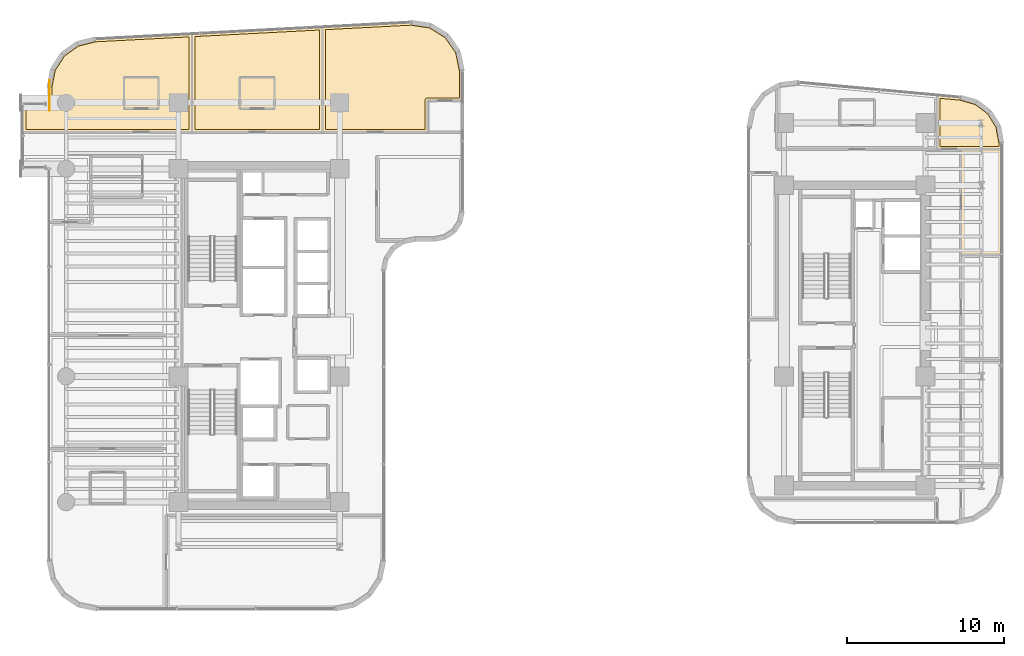
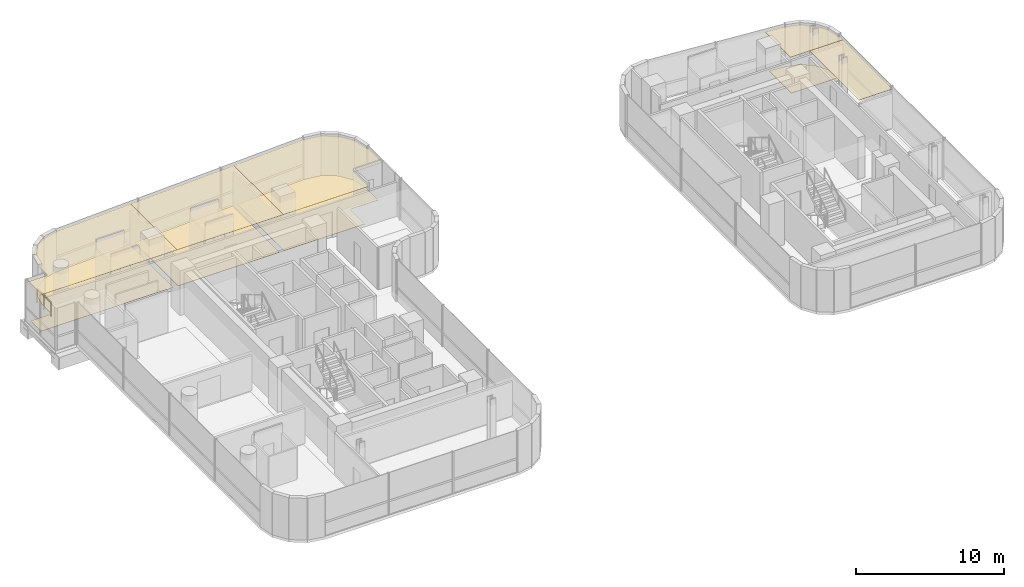
# One storey, part 33 of 33: 9 coverings, 1 railing.
"""IFC4 building model written with IfcOpenShell, lengths in metres."""

from ifc_helpers import new_model, si_unit, direction, frame, origin, origin_2d, place, context, subcontext, project, spatial, polyline, circle, outline, extrude, material, layer, layer_set, type_object, element, save


model = new_model("IFC4")

# Units and contexts
model_context = context("Model", 3, precision=1e-05, world=origin(), true_north=direction((0.0, 1.0)))
body_context = subcontext(model_context, "Body", "Model", "MODEL_VIEW")
ifc_project = project(units=[si_unit("LENGTHUNIT", "METRE"), si_unit("AREAUNIT", "SQUARE_METRE"), si_unit("VOLUMEUNIT", "CUBIC_METRE"), si_unit("PLANEANGLEUNIT", "RADIAN"), si_unit("MASSUNIT", "GRAM", prefix="KILO")], contexts=[model_context])

# Site, building, storey
site_placement = place(None, origin())
site = spatial("IfcSite", under=ifc_project, at=site_placement, CompositionType="ELEMENT")
building_placement = place(site_placement, origin())
building = spatial("IfcBuilding", under=site, at=building_placement, Name="Valdorenza Pilgrim Sanctuary Tower", CompositionType="ELEMENT")
storey_placement = place(building_placement, frame((0.0, 0.0, 157.5)))
storey = spatial("IfcBuildingStorey", under=building, at=storey_placement, Name="L40", CompositionType="ELEMENT", Elevation=157.5)

# Coverings
ifc_material_1 = material(Name="Micro-perforated acoustic mineral ceiling tile", Category="gypsum")
ifc_layer_1 = layer(ifc_material_1, 0.02490234375, Name="Micro-perforated acoustic mineral ceiling tile")
ifc_layer_set_1 = layer_set([ifc_layer_1], Name="Micro-perforated acoustic mineral ceiling tile")
covering_type_1 = type_object("IfcCoveringType", Name="COV-CLG-ACU", PredefinedType="CEILING", material=ifc_layer_set_1)
covering_1_placement = place(storey_placement, frame((0.0, 0.0, 3.159912109375)))
element("IfcCovering", 1, at=covering_1_placement, inside=storey, type_object=covering_type_1, Name="L40 North Guest Room L40-N1 Acoustic Ceiling", PredefinedType="CEILING", context=body_context, shape_type="SweptSolid", body=[
    extrude(outline(polyline([(-31.00048828125, 14.705078125), (-30.99072265625, 14.70556640625), (-30.9814453125, 14.706787109375), (-30.972412109375, 14.708984375), (-30.963623046875, 14.712158203125), (-30.955078125, 14.71630859375), (-30.947265625, 14.720947265625), (-30.939697265625, 14.7265625), (-30.932861328125, 14.73291015625), (-30.926513671875, 14.73974609375), (-30.9208984375, 14.747314453125), (-30.916259765625, 14.755126953125), (-30.912109375, 14.763671875), (-30.9091796875, 14.7724609375), (-30.90673828125, 14.781494140625), (-30.905517578125, 14.790771484375), (-30.905029296875, 14.80029296875), (-30.905029296875, 15.754150390625), (-30.90478515625, 15.755615234375), (-30.90478515625, 15.757080078125), (-30.68310546875, 16.911376953125), (-30.6826171875, 16.912841796875), (-30.68212890625, 16.914306640625), (-30.681640625, 16.91552734375), (-30.680908203125, 16.916748046875), (-30.052978515625, 17.897705078125), (-30.05224609375, 17.89892578125), (-30.05126953125, 17.89990234375), (-30.05029296875, 17.90087890625), (-30.04931640625, 17.90185546875), (-29.102294921875, 18.580810546875), (-29.101318359375, 18.58154296875), (-29.10009765625, 18.58203125), (-29.0986328125, 18.58251953125), (-29.097412109375, 18.5830078125), (-27.9560546875, 18.865478515625), (-27.954833984375, 18.865478515625), (-27.953369140625, 18.86572265625), (-21.8017578125, 19.19091796875), (-21.80078125, 19.19091796875), (-21.800048828125, 19.19091796875), (-21.798583984375, 19.190673828125), (-21.797119140625, 19.1904296875), (-21.795654296875, 19.190185546875), (-21.794189453125, 19.189697265625), (-21.79296875, 19.18896484375), (-21.791748046875, 19.188232421875), (-21.79052734375, 19.1875), (-21.789306640625, 19.186279296875), (-21.788330078125, 19.185302734375), (-21.78759765625, 19.18408203125), (-21.786865234375, 19.182861328125), (-21.7861328125, 19.181396484375), (-21.78564453125, 19.18017578125), (-21.785400390625, 19.1787109375), (-21.78515625, 19.17724609375), (-21.784912109375, 19.17578125), (-21.784912109375, 12.919921875), (-21.78515625, 12.91845703125), (-21.785400390625, 12.9169921875), (-21.78564453125, 12.91552734375), (-21.7861328125, 12.914306640625), (-21.786865234375, 12.912841796875), (-21.78759765625, 12.91162109375), (-21.788330078125, 12.910400390625), (-21.789306640625, 12.909423828125), (-21.79052734375, 12.908447265625), (-21.791748046875, 12.907470703125), (-21.79296875, 12.90673828125), (-21.794189453125, 12.906005859375), (-21.795654296875, 12.905517578125), (-21.797119140625, 12.9052734375), (-21.798583984375, 12.905029296875), (-21.800048828125, 12.905029296875), (-32.5400390625, 12.905029296875), (-32.54150390625, 12.905029296875), (-32.54296875, 12.9052734375), (-32.54443359375, 12.905517578125), (-32.545654296875, 12.906005859375), (-32.547119140625, 12.90673828125), (-32.54833984375, 12.907470703125), (-32.549560546875, 12.908447265625), (-32.550537109375, 12.909423828125), (-32.551513671875, 12.910400390625), (-32.552490234375, 12.91162109375), (-32.55322265625, 12.912841796875), (-32.553955078125, 12.914306640625), (-32.554443359375, 12.91552734375), (-32.5546875, 12.9169921875), (-32.554931640625, 12.91845703125), (-32.554931640625, 12.919921875), (-32.554931640625, 14.68994140625), (-32.554931640625, 14.69140625), (-32.5546875, 14.69287109375), (-32.554443359375, 14.6943359375), (-32.553955078125, 14.69580078125), (-32.55322265625, 14.697021484375), (-32.552490234375, 14.6982421875), (-32.551513671875, 14.699462890625), (-32.550537109375, 14.70068359375), (-32.549560546875, 14.70166015625), (-32.54833984375, 14.702392578125), (-32.547119140625, 14.703125), (-32.545654296875, 14.703857421875), (-32.54443359375, 14.704345703125), (-32.54296875, 14.70458984375), (-32.54150390625, 14.704833984375), (-32.5400390625, 14.705078125), (-31.00048828125, 14.705078125)])), origin(), (0.0, 0.0, 1.0), 0.025146484375),
])
covering_2_placement = place(storey_placement, frame((0.0, 0.0, 3.159912109375)))
element("IfcCovering", 2, at=covering_2_placement, inside=storey, type_object=covering_type_1, Name="L40 North Guest Room L40-N2 Acoustic Ceiling", PredefinedType="CEILING", context=body_context, shape_type="SweptSolid", body=[
    extrude(outline(polyline([(-21.81298828125, 19.17578125), (-21.81298828125, 19.1767578125), (-21.812744140625, 19.177978515625), (-21.8125, 19.1796875), (-21.81201171875, 19.180908203125), (-21.8115234375, 19.182373046875), (-21.810791015625, 19.18359375), (-21.81005859375, 19.184814453125), (-21.80908203125, 19.18603515625), (-21.80810546875, 19.18701171875), (-21.806884765625, 19.18798828125), (-21.805908203125, 19.188720703125), (-21.804443359375, 19.189453125), (-21.802978515625, 19.190185546875), (-21.8017578125, 19.1904296875), (-21.80029296875, 19.19091796875), (-21.798828125, 19.19091796875), (-13.501708984375, 19.62939453125), (-13.5009765625, 19.62939453125), (-13.5, 19.62939453125), (-13.49853515625, 19.629150390625), (-13.4970703125, 19.62890625), (-13.49560546875, 19.628662109375), (-13.494384765625, 19.628173828125), (-13.492919921875, 19.62744140625), (-13.49169921875, 19.626708984375), (-13.490478515625, 19.6259765625), (-13.489501953125, 19.625), (-13.48828125, 19.623779296875), (-13.487548828125, 19.62255859375), (-13.48681640625, 19.621337890625), (-13.486083984375, 19.6201171875), (-13.485595703125, 19.61865234375), (-13.4853515625, 19.6171875), (-13.485107421875, 19.61572265625), (-13.485107421875, 19.6142578125), (-13.485107421875, 12.919921875), (-13.485107421875, 12.91845703125), (-13.4853515625, 12.9169921875), (-13.485595703125, 12.91552734375), (-13.486083984375, 12.914306640625), (-13.48681640625, 12.912841796875), (-13.487548828125, 12.91162109375), (-13.48828125, 12.910400390625), (-13.489501953125, 12.909423828125), (-13.490478515625, 12.908447265625), (-13.49169921875, 12.907470703125), (-13.492919921875, 12.90673828125), (-13.494384765625, 12.906005859375), (-13.49560546875, 12.905517578125), (-13.4970703125, 12.9052734375), (-13.49853515625, 12.905029296875), (-13.5, 12.905029296875), (-21.798095703125, 12.905029296875), (-21.799560546875, 12.905029296875), (-21.80078125, 12.9052734375), (-21.802490234375, 12.905517578125), (-21.8037109375, 12.906005859375), (-21.80517578125, 12.90673828125), (-21.806396484375, 12.907470703125), (-21.8076171875, 12.908447265625), (-21.80859375, 12.909423828125), (-21.8095703125, 12.910400390625), (-21.810546875, 12.91162109375), (-21.811279296875, 12.912841796875), (-21.81201171875, 12.914306640625), (-21.8125, 12.91552734375), (-21.812744140625, 12.9169921875), (-21.81298828125, 12.91845703125), (-21.81298828125, 12.919921875), (-21.81298828125, 19.17578125), (-21.81298828125, 19.17578125)])), origin(), (0.0, 0.0, 1.0), 0.025146484375),
])
covering_3_placement = place(storey_placement, frame((0.0, 0.0, 3.159912109375)))
element("IfcCovering", 3, at=covering_3_placement, inside=storey, type_object=covering_type_1, Name="L40 North Guest Room L40-N3 Acoustic Ceiling", PredefinedType="CEILING", context=body_context, shape_type="SweptSolid", body=[
    extrude(outline(polyline([(-13.512939453125, 19.6142578125), (-13.512939453125, 19.615234375), (-13.5126953125, 19.61669921875), (-13.5126953125, 19.6181640625), (-13.51220703125, 19.619384765625), (-13.51171875, 19.620849609375), (-13.510986328125, 19.6220703125), (-13.510009765625, 19.623291015625), (-13.509033203125, 19.62451171875), (-13.508056640625, 19.62548828125), (-13.507080078125, 19.62646484375), (-13.505859375, 19.627197265625), (-13.50439453125, 19.6279296875), (-13.503173828125, 19.628662109375), (-13.501708984375, 19.62890625), (-13.500244140625, 19.62939453125), (-13.498779296875, 19.62939453125), (-7.875, 19.926513671875), (-7.87353515625, 19.926513671875), (-7.871826171875, 19.926513671875), (-6.6298828125, 19.738525390625), (-6.62841796875, 19.73828125), (-6.627197265625, 19.73779296875), (-6.625732421875, 19.737060546875), (-6.624267578125, 19.736328125), (-5.567138671875, 19.079345703125), (-5.56591796875, 19.07861328125), (-5.564697265625, 19.077392578125), (-5.563720703125, 19.076416015625), (-5.562744140625, 19.0751953125), (-4.850830078125, 18.05419921875), (-4.85009765625, 18.052978515625), (-4.849365234375, 18.051513671875), (-4.848876953125, 18.05029296875), (-4.848388671875, 18.048583984375), (-4.59521484375, 16.818359375), (-4.59521484375, 16.81689453125), (-4.594970703125, 16.815185546875), (-4.594970703125, 14.922119140625), (-4.59521484375, 14.92041015625), (-4.59521484375, 14.919189453125), (-4.595703125, 14.91748046875), (-4.59619140625, 14.916259765625), (-4.5966796875, 14.914794921875), (-4.597412109375, 14.913818359375), (-4.598388671875, 14.91259765625), (-4.599365234375, 14.911376953125), (-4.6005859375, 14.910400390625), (-4.601806640625, 14.909423828125), (-4.602783203125, 14.90869140625), (-4.604248046875, 14.908203125), (-4.605712890625, 14.90771484375), (-4.607177734375, 14.9072265625), (-4.6083984375, 14.906982421875), (-4.610107421875, 14.906982421875), (-6.797119140625, 14.906982421875), (-6.797119140625, 12.919921875), (-6.797119140625, 12.91845703125), (-6.79736328125, 12.9169921875), (-6.797607421875, 12.91552734375), (-6.798095703125, 12.914306640625), (-6.798828125, 12.912841796875), (-6.799560546875, 12.91162109375), (-6.80029296875, 12.910400390625), (-6.801513671875, 12.909423828125), (-6.802490234375, 12.908447265625), (-6.8037109375, 12.907470703125), (-6.804931640625, 12.90673828125), (-6.806396484375, 12.906005859375), (-6.8076171875, 12.905517578125), (-6.80908203125, 12.9052734375), (-6.810546875, 12.905029296875), (-6.81201171875, 12.905029296875), (-13.498046875, 12.905029296875), (-13.49951171875, 12.905029296875), (-13.5009765625, 12.9052734375), (-13.50244140625, 12.905517578125), (-13.503662109375, 12.906005859375), (-13.505126953125, 12.90673828125), (-13.50634765625, 12.907470703125), (-13.507568359375, 12.908447265625), (-13.508544921875, 12.909423828125), (-13.509521484375, 12.910400390625), (-13.510498046875, 12.91162109375), (-13.51123046875, 12.912841796875), (-13.511962890625, 12.914306640625), (-13.512451171875, 12.91552734375), (-13.5126953125, 12.9169921875), (-13.512939453125, 12.91845703125), (-13.512939453125, 12.919921875), (-13.512939453125, 19.6142578125), (-13.512939453125, 19.6142578125)])), origin(), (0.0, 0.0, 1.0), 0.025146484375),
])
covering_4_placement = place(storey_placement, frame((0.0, 0.0, 3.159912109375)))
element("IfcCovering", 4, at=covering_4_placement, inside=storey, type_object=covering_type_1, Name="L40 East Wing Reference Library L40-BNE Acoustic Ceiling", PredefinedType="CEILING", context=body_context, shape_type="SweptSolid", body=[
    extrude(outline(polyline([(27.055908203125, 15.156982421875), (27.057373046875, 15.156982421875), (27.058837890625, 15.156494140625), (28.090087890625, 14.86376953125), (28.091552734375, 14.86328125), (28.0927734375, 14.86279296875), (28.093994140625, 14.862060546875), (28.09521484375, 14.861328125), (28.94287109375, 14.2216796875), (28.94384765625, 14.220947265625), (28.94482421875, 14.219970703125), (28.94580078125, 14.21875), (28.946533203125, 14.2177734375), (29.505615234375, 13.315185546875), (29.50634765625, 13.313720703125), (29.5068359375, 13.3125), (29.50732421875, 13.311279296875), (29.507568359375, 13.309814453125), (29.70458984375, 12.256103515625), (29.704833984375, 12.254638671875), (29.705078125, 12.253173828125), (29.705078125, 11.85009765625), (29.704833984375, 11.848388671875), (29.70458984375, 11.84716796875), (29.704345703125, 11.845703125), (29.703857421875, 11.84423828125), (29.703125, 11.843017578125), (29.702392578125, 11.841796875), (29.70166015625, 11.840576171875), (29.70068359375, 11.83935546875), (29.699462890625, 11.83837890625), (29.6982421875, 11.83740234375), (29.697021484375, 11.8369140625), (29.69580078125, 11.836181640625), (29.6943359375, 11.835693359375), (29.69287109375, 11.835205078125), (29.69140625, 11.835205078125), (29.68994140625, 11.8349609375), (25.60205078125, 11.8349609375), (25.6005859375, 11.835205078125), (25.59912109375, 11.835205078125), (25.59765625, 11.835693359375), (25.59619140625, 11.836181640625), (25.594970703125, 11.8369140625), (25.59375, 11.83740234375), (25.592529296875, 11.83837890625), (25.59130859375, 11.83935546875), (25.59033203125, 11.840576171875), (25.589599609375, 11.841796875), (25.5888671875, 11.843017578125), (25.588134765625, 11.84423828125), (25.587646484375, 11.845703125), (25.58740234375, 11.84716796875), (25.587158203125, 11.848388671875), (25.5869140625, 11.85009765625), (25.5869140625, 15.27587890625), (25.587158203125, 15.27734375), (25.58740234375, 15.27880859375), (25.587646484375, 15.2802734375), (25.588134765625, 15.281494140625), (25.5888671875, 15.282958984375), (25.589599609375, 15.2841796875), (25.59033203125, 15.285400390625), (25.59130859375, 15.286376953125), (25.59228515625, 15.287353515625), (25.593505859375, 15.288330078125), (25.594970703125, 15.2890625), (25.59619140625, 15.289794921875), (25.59765625, 15.290283203125), (25.59912109375, 15.29052734375), (25.600341796875, 15.290771484375), (25.601806640625, 15.291015625), (25.603515625, 15.290771484375), (27.055908203125, 15.156982421875)])), origin(), (0.0, 0.0, 1.0), 0.025146484375),
])
covering_5_placement = place(storey_placement, frame((0.0, 0.0, 3.159912109375)))
element("IfcCovering", 5, at=covering_5_placement, inside=storey, type_object=covering_type_1, Name="L40 East Sanctuary Scholar Office L40-EG4 Acoustic Ceiling", PredefinedType="CEILING", context=body_context, shape_type="SweptSolid", body=[
    extrude(outline(polyline([(27.0849609375, 11.847900390625), (27.085205078125, 11.849609375), (27.085205078125, 11.850830078125), (27.085693359375, 11.852294921875), (27.086181640625, 11.853759765625), (27.0869140625, 11.85498046875), (27.08740234375, 11.856201171875), (27.08837890625, 11.857421875), (27.08935546875, 11.858642578125), (27.090576171875, 11.859619140625), (27.091796875, 11.860595703125), (27.093017578125, 11.861083984375), (27.09423828125, 11.86181640625), (27.095703125, 11.8623046875), (27.09716796875, 11.86279296875), (27.098388671875, 11.86279296875), (27.10009765625, 11.863037109375), (29.68994140625, 11.863037109375), (29.69140625, 11.86279296875), (29.69287109375, 11.86279296875), (29.6943359375, 11.8623046875), (29.69580078125, 11.86181640625), (29.697021484375, 11.861083984375), (29.6982421875, 11.860595703125), (29.699462890625, 11.859619140625), (29.70068359375, 11.858642578125), (29.70166015625, 11.857421875), (29.702392578125, 11.856201171875), (29.703125, 11.85498046875), (29.703857421875, 11.853759765625), (29.704345703125, 11.852294921875), (29.70458984375, 11.850830078125), (29.704833984375, 11.849609375), (29.705078125, 11.847900390625), (29.705078125, 5.139892578125), (29.704833984375, 5.138427734375), (29.70458984375, 5.13720703125), (29.704345703125, 5.135498046875), (29.703857421875, 5.13427734375), (29.703125, 5.1328125), (29.702392578125, 5.131591796875), (29.70166015625, 5.130615234375), (29.70068359375, 5.12939453125), (29.699462890625, 5.12841796875), (29.6982421875, 5.12744140625), (29.697021484375, 5.126708984375), (29.69580078125, 5.126220703125), (29.6943359375, 5.12548828125), (29.69287109375, 5.125244140625), (29.69140625, 5.125), (29.68994140625, 5.125), (27.10009765625, 5.125), (27.098388671875, 5.125), (27.09716796875, 5.125244140625), (27.095703125, 5.12548828125), (27.09423828125, 5.126220703125), (27.093017578125, 5.126708984375), (27.091796875, 5.12744140625), (27.090576171875, 5.12841796875), (27.08935546875, 5.12939453125), (27.08837890625, 5.130615234375), (27.08740234375, 5.131591796875), (27.0869140625, 5.1328125), (27.086181640625, 5.13427734375), (27.085693359375, 5.135498046875), (27.085205078125, 5.13720703125), (27.085205078125, 5.138427734375), (27.0849609375, 5.139892578125), (27.0849609375, 11.847900390625)])), origin(), (0.0, 0.0, 1.0), 0.025146484375),
])
ifc_material_2 = material(Name="Engineered European oak timber flooring", Category="wood")
ifc_layer_2 = layer(ifc_material_2, 0.02197265625, Name="Engineered European oak timber flooring")
ifc_layer_set_2 = layer_set([ifc_layer_2], Name="Engineered European oak timber flooring")
covering_type_2 = type_object("IfcCoveringType", Name="COV-FLR-OAK", PredefinedType="FLOORING", material=ifc_layer_set_2)
covering_6_placement = place(storey_placement, origin())
element("IfcCovering", 6, at=covering_6_placement, inside=storey, type_object=covering_type_2, Name="L40 North Guest Room L40-N1 Flooring", PredefinedType="FLOORING", context=body_context, shape_type="SweptSolid", body=[
    extrude(outline(polyline([(-31.0, 14.510009765625), (-30.9912109375, 14.51025390625), (-30.98046875, 14.5107421875), (-30.962890625, 14.512451171875), (-30.9521484375, 14.51416015625), (-30.934814453125, 14.517578125), (-30.92431640625, 14.52001953125), (-30.907470703125, 14.525390625), (-30.897216796875, 14.52880859375), (-30.880859375, 14.53564453125), (-30.87109375, 14.540283203125), (-30.855712890625, 14.548583984375), (-30.84619140625, 14.55419921875), (-30.831787109375, 14.56396484375), (-30.822998046875, 14.5703125), (-30.809326171875, 14.58154296875), (-30.80126953125, 14.5888671875), (-30.788818359375, 14.601318359375), (-30.781494140625, 14.609375), (-30.7705078125, 14.623046875), (-30.763916015625, 14.631591796875), (-30.754150390625, 14.646240234375), (-30.74853515625, 14.655517578125), (-30.740234375, 14.671142578125), (-30.735595703125, 14.680908203125), (-30.72900390625, 14.697265625), (-30.725341796875, 14.70751953125), (-30.72021484375, 14.724365234375), (-30.717529296875, 14.73486328125), (-30.714111328125, 14.752197265625), (-30.71240234375, 14.7626953125), (-30.710693359375, 14.780517578125), (-30.710205078125, 14.791259765625), (-30.7099609375, 14.800048828125), (-30.7099609375, 15.737060546875), (-30.498046875, 16.8408203125), (-29.907470703125, 17.763671875), (-29.016845703125, 18.402099609375), (-27.92578125, 18.672119140625), (-21.98095703125, 18.986083984375), (-21.97998046875, 13.10009765625), (-32.360107421875, 13.10009765625), (-32.360107421875, 14.510009765625), (-31.0, 14.510009765625)])), origin(), (0.0, 0.0, 1.0), 0.02490234375),
])
covering_7_placement = place(storey_placement, origin())
element("IfcCovering", 7, at=covering_7_placement, inside=storey, type_object=covering_type_2, Name="L40 North Guest Room L40-N2 Flooring", PredefinedType="FLOORING", context=body_context, shape_type="SweptSolid", body=[
    extrude(outline(polyline([(-13.679931640625, 19.424560546875), (-13.679931640625, 13.10009765625), (-21.617919921875, 13.10009765625), (-21.617919921875, 19.005126953125), (-13.679931640625, 19.424560546875)])), origin(), (0.0, 0.0, 1.0), 0.02490234375),
])
covering_8_placement = place(storey_placement, origin())
element("IfcCovering", 8, at=covering_8_placement, inside=storey, type_object=covering_type_2, Name="L40 North Guest Room L40-N3 Flooring", PredefinedType="FLOORING", context=body_context, shape_type="SweptSolid", body=[
    extrude(outline(polyline([(-7.883056640625, 19.730712890625), (-6.69580078125, 19.55126953125), (-5.70166015625, 18.933349609375), (-5.031982421875, 17.97314453125), (-4.7900390625, 16.797119140625), (-4.7900390625, 15.10205078125), (-6.81005859375, 15.10205078125), (-6.81884765625, 15.101806640625), (-6.819091796875, 15.101806640625), (-6.836669921875, 15.10009765625), (-6.8369140625, 15.10009765625), (-6.85400390625, 15.0966796875), (-6.854248046875, 15.096435546875), (-6.87109375, 15.09130859375), (-6.871337890625, 15.09130859375), (-6.8876953125, 15.084716796875), (-6.887939453125, 15.08447265625), (-6.903564453125, 15.076171875), (-6.903564453125, 15.076171875), (-6.918212890625, 15.066162109375), (-6.91845703125, 15.066162109375), (-6.93212890625, 15.054931640625), (-6.932373046875, 15.0546875), (-6.94482421875, 15.042236328125), (-6.94482421875, 15.0419921875), (-6.9560546875, 15.028564453125), (-6.956298828125, 15.0283203125), (-6.966064453125, 15.013671875), (-6.96630859375, 15.013427734375), (-6.974609375, 14.997802734375), (-6.974609375, 14.997802734375), (-6.981201171875, 14.9814453125), (-6.9814453125, 14.981201171875), (-6.986572265625, 14.96435546875), (-6.986572265625, 14.964111328125), (-6.989990234375, 14.94677734375), (-6.989990234375, 14.946533203125), (-6.99169921875, 14.928955078125), (-6.99169921875, 14.9287109375), (-6.991943359375, 14.919921875), (-6.991943359375, 13.10009765625), (-13.318115234375, 13.10009765625), (-13.318115234375, 19.443603515625), (-7.883056640625, 19.730712890625)])), origin(), (0.0, 0.0, 1.0), 0.02490234375),
])
ifc_material_3 = material(Name="Honed travertine stone flooring", Category="masonry")
ifc_layer_3 = layer(ifc_material_3, 0.030029296875, Name="Honed travertine stone flooring")
ifc_layer_set_3 = layer_set([ifc_layer_3], Name="Honed travertine stone flooring")
covering_type_3 = type_object("IfcCoveringType", Name="COV-FLR-TRV", PredefinedType="FLOORING", material=ifc_layer_set_3)
covering_9_placement = place(storey_placement, origin())
element("IfcCovering", 9, at=covering_9_placement, inside=storey, type_object=covering_type_3, Name="L40 East Wing Reference Library L40-BNE Flooring", PredefinedType="FLOORING", context=body_context, shape_type="SweptSolid", body=[
    extrude(outline(polyline([(27.021484375, 14.964599609375), (28.00439453125, 14.685302734375), (28.79833984375, 14.08642578125), (29.322021484375, 13.240966796875), (29.510009765625, 12.236572265625), (29.510009765625, 12.030029296875), (25.781982421875, 12.030029296875), (25.781982421875, 15.07861328125), (27.021484375, 14.964599609375)])), origin(), (0.0, 0.0, 1.0), 0.02490234375),
])

# Railing
ifc_material_4 = material(Name="Stainless steel Grade 316", Category="steel")
railing_type = type_object("IfcRailingType", Name="RLG-GRD-1120", PredefinedType="GUARDRAIL", material=ifc_material_4)
railing_placement = place(storey_placement, frame((-30.860107421875, 14.300048828125, 0.0)))
element("IfcRailing", 10, at=railing_placement, inside=storey, type_object=railing_type, Name="L40 NW Tangent Safety Sill Guard", PredefinedType="GUARDRAIL", context=body_context, shape_type="SweptSolid", body=[
    extrude(circle(Radius=0.02392578125, at=origin_2d()), frame((0.0, 0.0, 1.17578125), z_axis=(0.0, 1.0, 0.0), x_axis=(-1.0, 0.0, 0.0)), (0.0, 0.0, 1.0), 1.89990234375),
    extrude(circle(Radius=0.02099609375, at=origin_2d()), origin(), (0.0, 0.0, 1.0), 1.15185546875),
    extrude(circle(Radius=0.02099609375, at=origin_2d()), frame((0.0, 0.949951171875, 0.0)), (0.0, 0.0, 1.0), 1.15185546875),
    extrude(circle(Radius=0.02099609375, at=origin_2d()), frame((0.0, 1.89990234375, 0.0)), (0.0, 0.0, 1.0), 1.15185546875),
])

save(model, "model.ifc")
